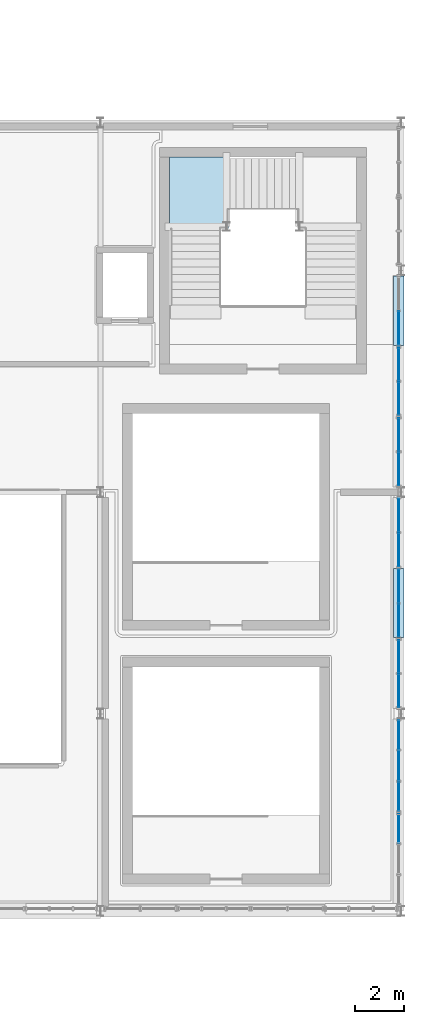
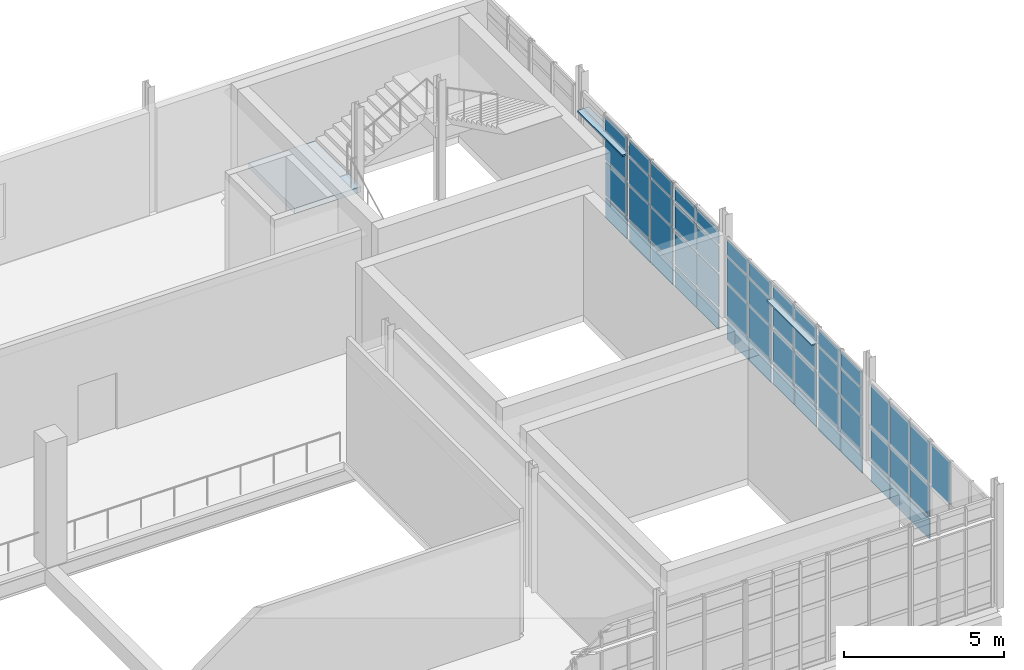
# One storey, part 79 of 102: 56 plates, 1 slab, 9 elements without a shape of their own.
"""IFC4 building model written with IfcOpenShell, lengths in metres."""

from ifc_helpers import new_model, si_unit, derived_unit, direction, frame, origin, origin_2d, place, context, subcontext, project, spatial, polyline, rectangle, outline, extrude, material, layer, layer_set, type_object, element, aggregate, save


model = new_model("IFC4")

# Units and contexts
model_context = context("Model", 3, precision=1e-05, world=origin(), true_north=direction((0.0, 1.0)))
body_context = subcontext(model_context, "Body", "Model", "MODEL_VIEW")
ifc_project = project(units=[si_unit("LENGTHUNIT", "METRE"), si_unit("AREAUNIT", "SQUARE_METRE"), si_unit("VOLUMEUNIT", "CUBIC_METRE"), si_unit("PLANEANGLEUNIT", "RADIAN"), si_unit("MASSUNIT", "GRAM", prefix="KILO"), derived_unit("THERMALTRANSMITTANCEUNIT", [(si_unit("POWERUNIT", "WATT"), 1), (si_unit("LENGTHUNIT", "METRE"), -2), (si_unit("THERMODYNAMICTEMPERATUREUNIT", "KELVIN"), -1)])], contexts=[model_context])

# Site, building, storey
site_placement = place(None, origin())
site = spatial("IfcSite", under=ifc_project, at=site_placement, CompositionType="ELEMENT")
building_placement = place(site_placement, origin())
building = spatial("IfcBuilding", under=site, at=building_placement, Name="Nallur Shell Playhouse", CompositionType="ELEMENT")
storey_placement = place(building_placement, frame((0.0, 0.0, 15.0)))
storey = spatial("IfcBuildingStorey", under=building, at=storey_placement, Name="L04", CompositionType="ELEMENT", Elevation=15.0)

# Curtain wall, plates
ifc_material_1 = material(Name="Anodised Aluminium Double-Glazed Facade System", Category="aluminium")
ifc_layer_1 = layer(ifc_material_1, 0.179931640625)
ifc_layer_set_1 = layer_set([ifc_layer_1], Name="Anodised Aluminium Double-Glazed Facade System")
curtain_wall_type_1 = type_object("IfcCurtainWallType", Name="CW-UNIT-17", PredefinedType="NOTDEFINED", material=ifc_layer_set_1)
curtain_wall_1_placement = place(storey_placement, origin())
curtain_wall_1 = element("IfcCurtainWall", 1, at=curtain_wall_1_placement, inside=storey, type_object=curtain_wall_type_1, Name="Unitised curtain wall CW-113 (L04)", PredefinedType="NOTDEFINED")
ifc_material_2 = material(Name="Solar-Control Low-E Laminated Insulating Glass", Category="glass")
ifc_layer_2 = layer(ifc_material_2, 0.02587890625)
ifc_layer_set_2 = layer_set([ifc_layer_2], Name="Solar-Control Low-E Laminated Insulating Glass")
plate_type_1 = type_object("IfcPlateType", Name="PT-GLZ-01", PredefinedType="CURTAIN_PANEL", material=ifc_layer_set_2)
plate_1_placement = place(storey_placement, frame((159.7099609375, 46.19287109375, 0.05712890625), z_axis=(0.0, 0.0, 1.0), x_axis=(0.0, -1.0, 0.0)))
plate_1 = element("IfcPlate", 2, at=plate_1_placement, type_object=plate_type_1, Name="CW-17 panel 1.1", PredefinedType="CURTAIN_PANEL", context=body_context, shape_type="SweptSolid", body=[
    extrude(rectangle(XDim=1.32177734375, YDim=0.02587890625, at=origin_2d()), origin(), (0.0, 0.0, 1.0), 0.818603515625),
])
plate_2_placement = place(storey_placement, frame((159.7099609375, 46.19287109375, 0.92431640625), z_axis=(0.0, 0.0, 1.0), x_axis=(0.0, -1.0, 0.0)))
plate_2 = element("IfcPlate", 3, at=plate_2_placement, type_object=plate_type_1, Name="CW-17 panel 1.2", PredefinedType="CURTAIN_PANEL", context=body_context, shape_type="SweptSolid", body=[
    extrude(rectangle(XDim=1.32177734375, YDim=0.02587890625, at=origin_2d()), origin(), (0.0, 0.0, 1.0), 1.299072265625),
])
plate_3_placement = place(storey_placement, frame((159.7099609375, 46.19287109375, 2.2724609375), z_axis=(0.0, 0.0, 1.0), x_axis=(0.0, -1.0, 0.0)))
plate_3 = element("IfcPlate", 4, at=plate_3_placement, type_object=plate_type_1, Name="CW-17 panel 1.3", PredefinedType="CURTAIN_PANEL", context=body_context, shape_type="SweptSolid", body=[
    extrude(rectangle(XDim=1.32177734375, YDim=0.02587890625, at=origin_2d()), origin(), (0.0, 0.0, 1.0), 1.0380859375),
])
plate_4_placement = place(storey_placement, frame((159.7099609375, 46.19287109375, 3.359375), z_axis=(0.0, 0.0, 1.0), x_axis=(0.0, -1.0, 0.0)))
plate_4 = element("IfcPlate", 5, at=plate_4_placement, type_object=plate_type_1, Name="CW-17 panel 1.4", PredefinedType="CURTAIN_PANEL", context=body_context, shape_type="SweptSolid", body=[
    extrude(rectangle(XDim=1.32177734375, YDim=0.02587890625, at=origin_2d()), origin(), (0.0, 0.0, 1.0), 0.598388671875),
])
plate_5_placement = place(storey_placement, frame((159.7099609375, 44.80712890625, 0.05712890625), z_axis=(0.0, 0.0, 1.0), x_axis=(0.0, -1.0, 0.0)))
plate_5 = element("IfcPlate", 6, at=plate_5_placement, type_object=plate_type_1, Name="CW-17 panel 2.1", PredefinedType="CURTAIN_PANEL", context=body_context, shape_type="SweptSolid", body=[
    extrude(rectangle(XDim=1.32177734375, YDim=0.02587890625, at=origin_2d()), origin(), (0.0, 0.0, 1.0), 0.818603515625),
])
plate_6_placement = place(storey_placement, frame((159.7099609375, 44.80712890625, 0.92431640625), z_axis=(0.0, 0.0, 1.0), x_axis=(0.0, -1.0, 0.0)))
plate_6 = element("IfcPlate", 7, at=plate_6_placement, type_object=plate_type_1, Name="CW-17 panel 2.2", PredefinedType="CURTAIN_PANEL", context=body_context, shape_type="SweptSolid", body=[
    extrude(rectangle(XDim=1.32177734375, YDim=0.02587890625, at=origin_2d()), origin(), (0.0, 0.0, 1.0), 1.299072265625),
])
plate_7_placement = place(storey_placement, frame((159.7099609375, 44.80712890625, 2.2724609375), z_axis=(0.0, 0.0, 1.0), x_axis=(0.0, -1.0, 0.0)))
plate_7 = element("IfcPlate", 8, at=plate_7_placement, type_object=plate_type_1, Name="CW-17 panel 2.3", PredefinedType="CURTAIN_PANEL", context=body_context, shape_type="SweptSolid", body=[
    extrude(rectangle(XDim=1.32177734375, YDim=0.02587890625, at=origin_2d()), origin(), (0.0, 0.0, 1.0), 1.0380859375),
])
plate_8_placement = place(storey_placement, frame((159.7099609375, 44.80712890625, 3.359375), z_axis=(0.0, 0.0, 1.0), x_axis=(0.0, -1.0, 0.0)))
plate_8 = element("IfcPlate", 9, at=plate_8_placement, type_object=plate_type_1, Name="CW-17 panel 2.4", PredefinedType="CURTAIN_PANEL", context=body_context, shape_type="SweptSolid", body=[
    extrude(rectangle(XDim=1.32177734375, YDim=0.02587890625, at=origin_2d()), origin(), (0.0, 0.0, 1.0), 0.598388671875),
])
aggregate(curtain_wall_1, [plate_1, plate_2, plate_3, plate_4, plate_5, plate_6, plate_7, plate_8])

ifc_layer_3 = layer(ifc_material_1, 0.159912109375)
ifc_layer_set_3 = layer_set([ifc_layer_3], Name="Anodised Aluminium Double-Glazed Facade System")
curtain_wall_type_2 = type_object("IfcCurtainWallType", Name="CW-UNIT-18", PredefinedType="NOTDEFINED", material=ifc_layer_set_3)
curtain_wall_2_placement = place(storey_placement, origin())
curtain_wall_2 = element("IfcCurtainWall", 10, at=curtain_wall_2_placement, inside=storey, type_object=curtain_wall_type_2, Name="Unitised curtain wall CW-114 (L04)", PredefinedType="NOTDEFINED")
ifc_layer_4 = layer(ifc_material_2, 0.028076171875)
ifc_layer_set_4 = layer_set([ifc_layer_4], Name="Solar-Control Low-E Laminated Insulating Glass")
plate_type_2 = type_object("IfcPlateType", Name="PT-GLZ-02", PredefinedType="CURTAIN_PANEL", material=ifc_layer_set_4)
plate_9_placement = place(storey_placement, frame((159.7099609375, 43.33154296875, 0.092041015625), z_axis=(0.0, 0.0, 1.0), x_axis=(0.0, -1.0, 0.0)))
plate_9 = element("IfcPlate", 11, at=plate_9_placement, type_object=plate_type_2, Name="CW-18 panel 1.1", PredefinedType="CURTAIN_PANEL", context=body_context, shape_type="SweptSolid", body=[
    extrude(rectangle(XDim=1.33154296875, YDim=0.028076171875, at=origin_2d()), origin(), (0.0, 0.0, 1.0), 0.76611328125),
])
plate_10_placement = place(storey_placement, frame((159.7099609375, 43.33154296875, 0.942138671875), z_axis=(0.0, 0.0, 1.0), x_axis=(0.0, -1.0, 0.0)))
plate_10 = element("IfcPlate", 12, at=plate_10_placement, type_object=plate_type_2, Name="CW-18 panel 1.2", PredefinedType="CURTAIN_PANEL", context=body_context, shape_type="SweptSolid", body=[
    extrude(rectangle(XDim=1.33154296875, YDim=0.028076171875, at=origin_2d()), origin(), (0.0, 0.0, 1.0), 1.2529296875),
])
plate_11_placement = place(storey_placement, frame((159.7099609375, 43.33154296875, 2.27880859375), z_axis=(0.0, 0.0, 1.0), x_axis=(0.0, -1.0, 0.0)))
plate_11 = element("IfcPlate", 13, at=plate_11_placement, type_object=plate_type_2, Name="CW-18 panel 1.3", PredefinedType="CURTAIN_PANEL", context=body_context, shape_type="SweptSolid", body=[
    extrude(rectangle(XDim=1.33154296875, YDim=0.028076171875, at=origin_2d()), origin(), (0.0, 0.0, 1.0), 0.993896484375),
])
plate_12_placement = place(storey_placement, frame((159.7099609375, 43.33154296875, 3.35693359375), z_axis=(0.0, 0.0, 1.0), x_axis=(0.0, -1.0, 0.0)))
plate_12 = element("IfcPlate", 14, at=plate_12_placement, type_object=plate_type_2, Name="CW-18 panel 1.4", PredefinedType="CURTAIN_PANEL", context=body_context, shape_type="SweptSolid", body=[
    extrude(rectangle(XDim=1.33154296875, YDim=0.028076171875, at=origin_2d()), origin(), (0.0, 0.0, 1.0), 0.5458984375),
])
plate_13_placement = place(storey_placement, frame((159.7099609375, 41.94091796875, 0.092041015625), z_axis=(0.0, 0.0, 1.0), x_axis=(0.0, -1.0, 0.0)))
plate_13 = element("IfcPlate", 15, at=plate_13_placement, type_object=plate_type_2, Name="CW-18 panel 2.1", PredefinedType="CURTAIN_PANEL", context=body_context, shape_type="SweptSolid", body=[
    extrude(rectangle(XDim=1.33154296875, YDim=0.028076171875, at=origin_2d()), origin(), (0.0, 0.0, 1.0), 0.76611328125),
])
plate_14_placement = place(storey_placement, frame((159.7099609375, 41.94091796875, 0.942138671875), z_axis=(0.0, 0.0, 1.0), x_axis=(0.0, -1.0, 0.0)))
plate_14 = element("IfcPlate", 16, at=plate_14_placement, type_object=plate_type_2, Name="CW-18 panel 2.2", PredefinedType="CURTAIN_PANEL", context=body_context, shape_type="SweptSolid", body=[
    extrude(rectangle(XDim=1.33154296875, YDim=0.028076171875, at=origin_2d()), origin(), (0.0, 0.0, 1.0), 1.2529296875),
])
plate_15_placement = place(storey_placement, frame((159.7099609375, 41.94091796875, 2.27880859375), z_axis=(0.0, 0.0, 1.0), x_axis=(0.0, -1.0, 0.0)))
plate_15 = element("IfcPlate", 17, at=plate_15_placement, type_object=plate_type_2, Name="CW-18 panel 2.3", PredefinedType="CURTAIN_PANEL", context=body_context, shape_type="SweptSolid", body=[
    extrude(rectangle(XDim=1.33154296875, YDim=0.028076171875, at=origin_2d()), origin(), (0.0, 0.0, 1.0), 0.993896484375),
])
plate_16_placement = place(storey_placement, frame((159.7099609375, 41.94091796875, 3.35693359375), z_axis=(0.0, 0.0, 1.0), x_axis=(0.0, -1.0, 0.0)))
plate_16 = element("IfcPlate", 18, at=plate_16_placement, type_object=plate_type_2, Name="CW-18 panel 2.4", PredefinedType="CURTAIN_PANEL", context=body_context, shape_type="SweptSolid", body=[
    extrude(rectangle(XDim=1.33154296875, YDim=0.028076171875, at=origin_2d()), origin(), (0.0, 0.0, 1.0), 0.5458984375),
])
aggregate(curtain_wall_2, [plate_9, plate_10, plate_11, plate_12, plate_13, plate_14, plate_15, plate_16])

ifc_layer_5 = layer(ifc_material_1, 0.1640625)
ifc_layer_set_5 = layer_set([ifc_layer_5], Name="Anodised Aluminium Double-Glazed Facade System")
curtain_wall_type_3 = type_object("IfcCurtainWallType", Name="CW-UNIT-19", PredefinedType="NOTDEFINED", material=ifc_layer_set_5)
curtain_wall_3_placement = place(storey_placement, origin())
curtain_wall_3 = element("IfcCurtainWall", 19, at=curtain_wall_3_placement, inside=storey, type_object=curtain_wall_type_3, Name="Unitised curtain wall CW-115 (L04)", PredefinedType="NOTDEFINED")
ifc_layer_6 = layer(ifc_material_2, 0.030029296875)
ifc_layer_set_6 = layer_set([ifc_layer_6], Name="Solar-Control Low-E Laminated Insulating Glass")
plate_type_3 = type_object("IfcPlateType", Name="PT-GLZ-03", PredefinedType="CURTAIN_PANEL", material=ifc_layer_set_6)
plate_17_placement = place(storey_placement, frame((159.7099609375, 40.061767578125, 0.05712890625), z_axis=(0.0, 0.0, 1.0), x_axis=(0.0, -1.0, 0.0)))
plate_17 = element("IfcPlate", 20, at=plate_17_placement, type_object=plate_type_3, Name="CW-19 panel 1.1", PredefinedType="CURTAIN_PANEL", context=body_context, shape_type="SweptSolid", body=[
    extrude(rectangle(XDim=1.3466796875, YDim=0.030029296875, at=origin_2d()), origin(), (0.0, 0.0, 1.0), 0.818603515625),
])
plate_18_placement = place(storey_placement, frame((159.7099609375, 40.061767578125, 0.924560546875), z_axis=(0.0, 0.0, 1.0), x_axis=(0.0, -1.0, 0.0)))
plate_18 = element("IfcPlate", 21, at=plate_18_placement, type_object=plate_type_3, Name="CW-19 panel 1.2", PredefinedType="CURTAIN_PANEL", context=body_context, shape_type="SweptSolid", body=[
    extrude(rectangle(XDim=1.3466796875, YDim=0.030029296875, at=origin_2d()), origin(), (0.0, 0.0, 1.0), 1.2490234375),
])
plate_19_placement = place(storey_placement, frame((159.7099609375, 40.061767578125, 2.222412109375), z_axis=(0.0, 0.0, 1.0), x_axis=(0.0, -1.0, 0.0)))
plate_19 = element("IfcPlate", 22, at=plate_19_placement, type_object=plate_type_3, Name="CW-19 panel 1.3", PredefinedType="CURTAIN_PANEL", context=body_context, shape_type="SweptSolid", body=[
    extrude(rectangle(XDim=1.3466796875, YDim=0.030029296875, at=origin_2d()), origin(), (0.0, 0.0, 1.0), 0.998046875),
])
plate_20_placement = place(storey_placement, frame((159.7099609375, 40.061767578125, 3.26953125), z_axis=(0.0, 0.0, 1.0), x_axis=(0.0, -1.0, 0.0)))
plate_20 = element("IfcPlate", 23, at=plate_20_placement, type_object=plate_type_3, Name="CW-19 panel 1.4", PredefinedType="CURTAIN_PANEL", context=body_context, shape_type="SweptSolid", body=[
    extrude(rectangle(XDim=1.3466796875, YDim=0.030029296875, at=origin_2d()), origin(), (0.0, 0.0, 1.0), 0.598388671875),
])
plate_21_placement = place(storey_placement, frame((159.7099609375, 38.666015625, 0.05712890625), z_axis=(0.0, 0.0, 1.0), x_axis=(0.0, -1.0, 0.0)))
plate_21 = element("IfcPlate", 24, at=plate_21_placement, type_object=plate_type_3, Name="CW-19 panel 2.1", PredefinedType="CURTAIN_PANEL", context=body_context, shape_type="SweptSolid", body=[
    extrude(rectangle(XDim=1.3466796875, YDim=0.030029296875, at=origin_2d()), origin(), (0.0, 0.0, 1.0), 0.818603515625),
])
plate_22_placement = place(storey_placement, frame((159.7099609375, 38.666015625, 0.924560546875), z_axis=(0.0, 0.0, 1.0), x_axis=(0.0, -1.0, 0.0)))
plate_22 = element("IfcPlate", 25, at=plate_22_placement, type_object=plate_type_3, Name="CW-19 panel 2.2", PredefinedType="CURTAIN_PANEL", context=body_context, shape_type="SweptSolid", body=[
    extrude(rectangle(XDim=1.3466796875, YDim=0.030029296875, at=origin_2d()), origin(), (0.0, 0.0, 1.0), 1.2490234375),
])
plate_23_placement = place(storey_placement, frame((159.7099609375, 38.666015625, 2.222412109375), z_axis=(0.0, 0.0, 1.0), x_axis=(0.0, -1.0, 0.0)))
plate_23 = element("IfcPlate", 26, at=plate_23_placement, type_object=plate_type_3, Name="CW-19 panel 2.3", PredefinedType="CURTAIN_PANEL", context=body_context, shape_type="SweptSolid", body=[
    extrude(rectangle(XDim=1.3466796875, YDim=0.030029296875, at=origin_2d()), origin(), (0.0, 0.0, 1.0), 0.998046875),
])
plate_24_placement = place(storey_placement, frame((159.7099609375, 38.666015625, 3.26953125), z_axis=(0.0, 0.0, 1.0), x_axis=(0.0, -1.0, 0.0)))
plate_24 = element("IfcPlate", 27, at=plate_24_placement, type_object=plate_type_3, Name="CW-19 panel 2.4", PredefinedType="CURTAIN_PANEL", context=body_context, shape_type="SweptSolid", body=[
    extrude(rectangle(XDim=1.3466796875, YDim=0.030029296875, at=origin_2d()), origin(), (0.0, 0.0, 1.0), 0.598388671875),
])
aggregate(curtain_wall_3, [plate_17, plate_18, plate_19, plate_20, plate_21, plate_22, plate_23, plate_24])

ifc_layer_7 = layer(ifc_material_1, 0.16796875)
ifc_layer_set_7 = layer_set([ifc_layer_7], Name="Anodised Aluminium Double-Glazed Facade System")
curtain_wall_type_4 = type_object("IfcCurtainWallType", Name="CW-UNIT-20", PredefinedType="NOTDEFINED", material=ifc_layer_set_7)
curtain_wall_4_placement = place(storey_placement, origin())
curtain_wall_4 = element("IfcCurtainWall", 28, at=curtain_wall_4_placement, inside=storey, type_object=curtain_wall_type_4, Name="Unitised curtain wall CW-116 (L04)", PredefinedType="NOTDEFINED")
ifc_layer_8 = layer(ifc_material_2, 0.031982421875)
ifc_layer_set_8 = layer_set([ifc_layer_8], Name="Solar-Control Low-E Laminated Insulating Glass")
plate_type_4 = type_object("IfcPlateType", Name="PT-GLZ-04", PredefinedType="CURTAIN_PANEL", material=ifc_layer_set_8)
plate_25_placement = place(storey_placement, frame((159.7099609375, 37.19287109375, 0.092041015625), z_axis=(0.0, 0.0, 1.0), x_axis=(0.0, -1.0, 0.0)))
plate_25 = element("IfcPlate", 29, at=plate_25_placement, type_object=plate_type_4, Name="CW-20 panel 1.1", PredefinedType="CURTAIN_PANEL", context=body_context, shape_type="SweptSolid", body=[
    extrude(rectangle(XDim=1.32177734375, YDim=0.031982421875, at=origin_2d()), origin(), (0.0, 0.0, 1.0), 0.76611328125),
])
plate_26_placement = place(storey_placement, frame((159.7099609375, 37.19287109375, 0.94189453125), z_axis=(0.0, 0.0, 1.0), x_axis=(0.0, -1.0, 0.0)))
plate_26 = element("IfcPlate", 30, at=plate_26_placement, type_object=plate_type_4, Name="CW-20 panel 1.2", PredefinedType="CURTAIN_PANEL", context=body_context, shape_type="SweptSolid", body=[
    extrude(rectangle(XDim=1.32177734375, YDim=0.031982421875, at=origin_2d()), origin(), (0.0, 0.0, 1.0), 1.248046875),
])
plate_27_placement = place(storey_placement, frame((159.7099609375, 37.19287109375, 2.27392578125), z_axis=(0.0, 0.0, 1.0), x_axis=(0.0, -1.0, 0.0)))
plate_27 = element("IfcPlate", 31, at=plate_27_placement, type_object=plate_type_4, Name="CW-20 panel 1.3", PredefinedType="CURTAIN_PANEL", context=body_context, shape_type="SweptSolid", body=[
    extrude(rectangle(XDim=1.32177734375, YDim=0.031982421875, at=origin_2d()), origin(), (0.0, 0.0, 1.0), 0.989013671875),
])
plate_28_placement = place(storey_placement, frame((159.7099609375, 37.19287109375, 3.34716796875), z_axis=(0.0, 0.0, 1.0), x_axis=(0.0, -1.0, 0.0)))
plate_28 = element("IfcPlate", 32, at=plate_28_placement, type_object=plate_type_4, Name="CW-20 panel 1.4", PredefinedType="CURTAIN_PANEL", context=body_context, shape_type="SweptSolid", body=[
    extrude(rectangle(XDim=1.32177734375, YDim=0.031982421875, at=origin_2d()), origin(), (0.0, 0.0, 1.0), 0.5458984375),
])
plate_29_placement = place(storey_placement, frame((159.7099609375, 35.80712890625, 0.092041015625), z_axis=(0.0, 0.0, 1.0), x_axis=(0.0, -1.0, 0.0)))
plate_29 = element("IfcPlate", 33, at=plate_29_placement, type_object=plate_type_4, Name="CW-20 panel 2.1", PredefinedType="CURTAIN_PANEL", context=body_context, shape_type="SweptSolid", body=[
    extrude(rectangle(XDim=1.32177734375, YDim=0.031982421875, at=origin_2d()), origin(), (0.0, 0.0, 1.0), 0.76611328125),
])
plate_30_placement = place(storey_placement, frame((159.7099609375, 35.80712890625, 0.94189453125), z_axis=(0.0, 0.0, 1.0), x_axis=(0.0, -1.0, 0.0)))
plate_30 = element("IfcPlate", 34, at=plate_30_placement, type_object=plate_type_4, Name="CW-20 panel 2.2", PredefinedType="CURTAIN_PANEL", context=body_context, shape_type="SweptSolid", body=[
    extrude(rectangle(XDim=1.32177734375, YDim=0.031982421875, at=origin_2d()), origin(), (0.0, 0.0, 1.0), 1.248046875),
])
plate_31_placement = place(storey_placement, frame((159.7099609375, 35.80712890625, 2.27392578125), z_axis=(0.0, 0.0, 1.0), x_axis=(0.0, -1.0, 0.0)))
plate_31 = element("IfcPlate", 35, at=plate_31_placement, type_object=plate_type_4, Name="CW-20 panel 2.3", PredefinedType="CURTAIN_PANEL", context=body_context, shape_type="SweptSolid", body=[
    extrude(rectangle(XDim=1.32177734375, YDim=0.031982421875, at=origin_2d()), origin(), (0.0, 0.0, 1.0), 0.989013671875),
])
plate_32_placement = place(storey_placement, frame((159.7099609375, 35.80712890625, 3.34716796875), z_axis=(0.0, 0.0, 1.0), x_axis=(0.0, -1.0, 0.0)))
plate_32 = element("IfcPlate", 36, at=plate_32_placement, type_object=plate_type_4, Name="CW-20 panel 2.4", PredefinedType="CURTAIN_PANEL", context=body_context, shape_type="SweptSolid", body=[
    extrude(rectangle(XDim=1.32177734375, YDim=0.031982421875, at=origin_2d()), origin(), (0.0, 0.0, 1.0), 0.5458984375),
])
aggregate(curtain_wall_4, [plate_25, plate_26, plate_27, plate_28, plate_29, plate_30, plate_31, plate_32])

ifc_layer_9 = layer(ifc_material_1, 0.172119140625)
ifc_layer_set_9 = layer_set([ifc_layer_9], Name="Anodised Aluminium Double-Glazed Facade System")
curtain_wall_type_5 = type_object("IfcCurtainWallType", Name="CW-UNIT-21", PredefinedType="NOTDEFINED", material=ifc_layer_set_9)
curtain_wall_5_placement = place(storey_placement, origin())
curtain_wall_5 = element("IfcCurtainWall", 37, at=curtain_wall_5_placement, inside=storey, type_object=curtain_wall_type_5, Name="Unitised curtain wall CW-117 (L04)", PredefinedType="NOTDEFINED")
ifc_layer_10 = layer(ifc_material_2, 0.033935546875)
ifc_layer_set_10 = layer_set([ifc_layer_10], Name="Solar-Control Low-E Laminated Insulating Glass")
plate_type_5 = type_object("IfcPlateType", Name="PT-GLZ-05", PredefinedType="CURTAIN_PANEL", material=ifc_layer_set_10)
plate_33_placement = place(storey_placement, frame((159.7099609375, 34.33154296875, 0.05712890625), z_axis=(0.0, 0.0, 1.0), x_axis=(0.0, -1.0, 0.0)))
plate_33 = element("IfcPlate", 38, at=plate_33_placement, type_object=plate_type_5, Name="CW-21 panel 1.1", PredefinedType="CURTAIN_PANEL", context=body_context, shape_type="SweptSolid", body=[
    extrude(rectangle(XDim=1.33154296875, YDim=0.033935546875, at=origin_2d()), origin(), (0.0, 0.0, 1.0), 0.818603515625),
])
plate_34_placement = place(storey_placement, frame((159.7099609375, 34.33154296875, 0.924560546875), z_axis=(0.0, 0.0, 1.0), x_axis=(0.0, -1.0, 0.0)))
plate_34 = element("IfcPlate", 39, at=plate_34_placement, type_object=plate_type_5, Name="CW-21 panel 1.2", PredefinedType="CURTAIN_PANEL", context=body_context, shape_type="SweptSolid", body=[
    extrude(rectangle(XDim=1.33154296875, YDim=0.033935546875, at=origin_2d()), origin(), (0.0, 0.0, 1.0), 1.27099609375),
])
plate_35_placement = place(storey_placement, frame((159.7099609375, 34.33154296875, 2.244384765625), z_axis=(0.0, 0.0, 1.0), x_axis=(0.0, -1.0, 0.0)))
plate_35 = element("IfcPlate", 40, at=plate_35_placement, type_object=plate_type_5, Name="CW-21 panel 1.3", PredefinedType="CURTAIN_PANEL", context=body_context, shape_type="SweptSolid", body=[
    extrude(rectangle(XDim=1.33154296875, YDim=0.033935546875, at=origin_2d()), origin(), (0.0, 0.0, 1.0), 1.01611328125),
])
plate_36_placement = place(storey_placement, frame((159.7099609375, 34.33154296875, 3.3095703125), z_axis=(0.0, 0.0, 1.0), x_axis=(0.0, -1.0, 0.0)))
plate_36 = element("IfcPlate", 41, at=plate_36_placement, type_object=plate_type_5, Name="CW-21 panel 1.4", PredefinedType="CURTAIN_PANEL", context=body_context, shape_type="SweptSolid", body=[
    extrude(rectangle(XDim=1.33154296875, YDim=0.033935546875, at=origin_2d()), origin(), (0.0, 0.0, 1.0), 0.598388671875),
])
plate_37_placement = place(storey_placement, frame((159.7099609375, 32.94091796875, 0.05712890625), z_axis=(0.0, 0.0, 1.0), x_axis=(0.0, -1.0, 0.0)))
plate_37 = element("IfcPlate", 42, at=plate_37_placement, type_object=plate_type_5, Name="CW-21 panel 2.1", PredefinedType="CURTAIN_PANEL", context=body_context, shape_type="SweptSolid", body=[
    extrude(rectangle(XDim=1.33154296875, YDim=0.033935546875, at=origin_2d()), origin(), (0.0, 0.0, 1.0), 0.818603515625),
])
plate_38_placement = place(storey_placement, frame((159.7099609375, 32.94091796875, 0.924560546875), z_axis=(0.0, 0.0, 1.0), x_axis=(0.0, -1.0, 0.0)))
plate_38 = element("IfcPlate", 43, at=plate_38_placement, type_object=plate_type_5, Name="CW-21 panel 2.2", PredefinedType="CURTAIN_PANEL", context=body_context, shape_type="SweptSolid", body=[
    extrude(rectangle(XDim=1.33154296875, YDim=0.033935546875, at=origin_2d()), origin(), (0.0, 0.0, 1.0), 1.27099609375),
])
plate_39_placement = place(storey_placement, frame((159.7099609375, 32.94091796875, 2.244384765625), z_axis=(0.0, 0.0, 1.0), x_axis=(0.0, -1.0, 0.0)))
plate_39 = element("IfcPlate", 44, at=plate_39_placement, type_object=plate_type_5, Name="CW-21 panel 2.3", PredefinedType="CURTAIN_PANEL", context=body_context, shape_type="SweptSolid", body=[
    extrude(rectangle(XDim=1.33154296875, YDim=0.033935546875, at=origin_2d()), origin(), (0.0, 0.0, 1.0), 1.01611328125),
])
plate_40_placement = place(storey_placement, frame((159.7099609375, 32.94091796875, 3.3095703125), z_axis=(0.0, 0.0, 1.0), x_axis=(0.0, -1.0, 0.0)))
plate_40 = element("IfcPlate", 45, at=plate_40_placement, type_object=plate_type_5, Name="CW-21 panel 2.4", PredefinedType="CURTAIN_PANEL", context=body_context, shape_type="SweptSolid", body=[
    extrude(rectangle(XDim=1.33154296875, YDim=0.033935546875, at=origin_2d()), origin(), (0.0, 0.0, 1.0), 0.598388671875),
])
aggregate(curtain_wall_5, [plate_33, plate_34, plate_35, plate_36, plate_37, plate_38, plate_39, plate_40])

ifc_layer_11 = layer(ifc_material_1, 0.176025390625)
ifc_layer_set_11 = layer_set([ifc_layer_11], Name="Anodised Aluminium Double-Glazed Facade System")
curtain_wall_type_6 = type_object("IfcCurtainWallType", Name="CW-UNIT-22", PredefinedType="NOTDEFINED", material=ifc_layer_set_11)
curtain_wall_6_placement = place(storey_placement, origin())
curtain_wall_6 = element("IfcCurtainWall", 46, at=curtain_wall_6_placement, inside=storey, type_object=curtain_wall_type_6, Name="Unitised curtain wall CW-118 (L04)", PredefinedType="NOTDEFINED")
ifc_layer_12 = layer(ifc_material_2, 0.035888671875)
ifc_layer_set_12 = layer_set([ifc_layer_12], Name="Solar-Control Low-E Laminated Insulating Glass")
plate_type_6 = type_object("IfcPlateType", Name="PT-GLZ-06", PredefinedType="CURTAIN_PANEL", material=ifc_layer_set_12)
plate_41_placement = place(storey_placement, frame((159.7099609375, 31.14453125, 0.092041015625), z_axis=(0.0, 0.0, 1.0), x_axis=(0.0, -1.0, 0.0)))
plate_41 = element("IfcPlate", 47, at=plate_41_placement, type_object=plate_type_6, Name="CW-22 panel 1.1", PredefinedType="CURTAIN_PANEL", context=body_context, shape_type="SweptSolid", body=[
    extrude(rectangle(XDim=1.180908203125, YDim=0.035888671875, at=origin_2d()), origin(), (0.0, 0.0, 1.0), 0.76611328125),
])
plate_42_placement = place(storey_placement, frame((159.7099609375, 31.14453125, 0.94189453125), z_axis=(0.0, 0.0, 1.0), x_axis=(0.0, -1.0, 0.0)))
plate_42 = element("IfcPlate", 48, at=plate_42_placement, type_object=plate_type_6, Name="CW-22 panel 1.2", PredefinedType="CURTAIN_PANEL", context=body_context, shape_type="SweptSolid", body=[
    extrude(rectangle(XDim=1.180908203125, YDim=0.035888671875, at=origin_2d()), origin(), (0.0, 0.0, 1.0), 1.197021484375),
])
plate_43_placement = place(storey_placement, frame((159.7099609375, 31.14453125, 2.222900390625), z_axis=(0.0, 0.0, 1.0), x_axis=(0.0, -1.0, 0.0)))
plate_43 = element("IfcPlate", 49, at=plate_43_placement, type_object=plate_type_6, Name="CW-22 panel 1.3", PredefinedType="CURTAIN_PANEL", context=body_context, shape_type="SweptSolid", body=[
    extrude(rectangle(XDim=1.180908203125, YDim=0.035888671875, at=origin_2d()), origin(), (0.0, 0.0, 1.0), 1.580078125),
])
plate_44_placement = place(storey_placement, frame((159.7099609375, 29.8984375, 0.092041015625), z_axis=(0.0, 0.0, 1.0), x_axis=(0.0, -1.0, 0.0)))
plate_44 = element("IfcPlate", 50, at=plate_44_placement, type_object=plate_type_6, Name="CW-22 panel 2.1", PredefinedType="CURTAIN_PANEL", context=body_context, shape_type="SweptSolid", body=[
    extrude(rectangle(XDim=1.21337890625, YDim=0.035888671875, at=origin_2d()), origin(), (0.0, 0.0, 1.0), 0.76611328125),
])
plate_45_placement = place(storey_placement, frame((159.7099609375, 29.8984375, 0.94189453125), z_axis=(0.0, 0.0, 1.0), x_axis=(0.0, -1.0, 0.0)))
plate_45 = element("IfcPlate", 51, at=plate_45_placement, type_object=plate_type_6, Name="CW-22 panel 2.2", PredefinedType="CURTAIN_PANEL", context=body_context, shape_type="SweptSolid", body=[
    extrude(rectangle(XDim=1.21337890625, YDim=0.035888671875, at=origin_2d()), origin(), (0.0, 0.0, 1.0), 1.197021484375),
])
plate_46_placement = place(storey_placement, frame((159.7099609375, 29.8984375, 2.222900390625), z_axis=(0.0, 0.0, 1.0), x_axis=(0.0, -1.0, 0.0)))
plate_46 = element("IfcPlate", 52, at=plate_46_placement, type_object=plate_type_6, Name="CW-22 panel 2.3", PredefinedType="CURTAIN_PANEL", context=body_context, shape_type="SweptSolid", body=[
    extrude(rectangle(XDim=1.21337890625, YDim=0.035888671875, at=origin_2d()), origin(), (0.0, 0.0, 1.0), 1.580078125),
])
plate_47_placement = place(storey_placement, frame((159.7099609375, 28.65234375, 0.092041015625), z_axis=(0.0, 0.0, 1.0), x_axis=(0.0, -1.0, 0.0)))
plate_47 = element("IfcPlate", 53, at=plate_47_placement, type_object=plate_type_6, Name="CW-22 panel 3.1", PredefinedType="CURTAIN_PANEL", context=body_context, shape_type="SweptSolid", body=[
    extrude(rectangle(XDim=1.180908203125, YDim=0.035888671875, at=origin_2d()), origin(), (0.0, 0.0, 1.0), 0.76611328125),
])
plate_48_placement = place(storey_placement, frame((159.7099609375, 28.65234375, 0.94189453125), z_axis=(0.0, 0.0, 1.0), x_axis=(0.0, -1.0, 0.0)))
plate_48 = element("IfcPlate", 54, at=plate_48_placement, type_object=plate_type_6, Name="CW-22 panel 3.2", PredefinedType="CURTAIN_PANEL", context=body_context, shape_type="SweptSolid", body=[
    extrude(rectangle(XDim=1.180908203125, YDim=0.035888671875, at=origin_2d()), origin(), (0.0, 0.0, 1.0), 1.197021484375),
])
plate_49_placement = place(storey_placement, frame((159.7099609375, 28.65234375, 2.222900390625), z_axis=(0.0, 0.0, 1.0), x_axis=(0.0, -1.0, 0.0)))
plate_49 = element("IfcPlate", 55, at=plate_49_placement, type_object=plate_type_6, Name="CW-22 panel 3.3", PredefinedType="CURTAIN_PANEL", context=body_context, shape_type="SweptSolid", body=[
    extrude(rectangle(XDim=1.180908203125, YDim=0.035888671875, at=origin_2d()), origin(), (0.0, 0.0, 1.0), 1.580078125),
])
aggregate(curtain_wall_6, [plate_41, plate_42, plate_43, plate_44, plate_45, plate_46, plate_47, plate_48, plate_49])

# Curtain wall, plate
ifc_layer_13 = layer(ifc_material_1, 0.179931640625)
ifc_layer_set_13 = layer_set([ifc_layer_13], Name="Anodised Aluminium Double-Glazed Facade System")
curtain_wall_type_7 = type_object("IfcCurtainWallType", Name="CW-UNIT-23", PredefinedType="NOTDEFINED", material=ifc_layer_set_13)
curtain_wall_7_placement = place(storey_placement, origin())
curtain_wall_7 = element("IfcCurtainWall", 56, at=curtain_wall_7_placement, inside=storey, type_object=curtain_wall_type_7, Name="Unitised curtain wall CW-119 (L04)", PredefinedType="NOTDEFINED")
ifc_layer_14 = layer(ifc_material_2, 0.0380859375)
ifc_layer_set_14 = layer_set([ifc_layer_14], Name="Solar-Control Low-E Laminated Insulating Glass")
plate_type_7 = type_object("IfcPlateType", Name="PT-GLZ-07", PredefinedType="CURTAIN_PANEL", material=ifc_layer_set_14)
plate_50_placement = place(storey_placement, frame((159.7099609375, 27.34375, 2.194580078125), z_axis=(0.0, 0.0, 1.0), x_axis=(0.0, -1.0, 0.0)))
plate_50 = element("IfcPlate", 57, at=plate_50_placement, type_object=plate_type_7, Name="CW-23 panel 1.3", PredefinedType="CURTAIN_PANEL", context=body_context, shape_type="SweptSolid", body=[
    extrude(rectangle(XDim=1.158447265625, YDim=0.0380859375, at=origin_2d()), origin(), (0.0, 0.0, 1.0), 1.62353515625),
])
aggregate(curtain_wall_7, [plate_50])

# Curtain wall, plates
ifc_layer_15 = layer(ifc_material_1, 0.176025390625)
ifc_layer_set_15 = layer_set([ifc_layer_15], Name="Anodised Aluminium Double-Glazed Facade System")
curtain_wall_type_8 = type_object("IfcCurtainWallType", Name="CW-UNIT-16", PredefinedType="NOTDEFINED", material=ifc_layer_set_15)
curtain_wall_8_placement = place(storey_placement, origin())
curtain_wall_8 = element("IfcCurtainWall", 58, at=curtain_wall_8_placement, inside=storey, type_object=curtain_wall_type_8, Name="Unitised curtain wall CW-112 (L04)", PredefinedType="NOTDEFINED")
ifc_layer_16 = layer(ifc_material_2, 0.0400390625)
ifc_layer_set_16 = layer_set([ifc_layer_16], Name="Solar-Control Low-E Laminated Insulating Glass")
plate_type_8 = type_object("IfcPlateType", Name="PT-GLZ-08", PredefinedType="CURTAIN_PANEL", material=ifc_layer_set_16)
plate_51_placement = place(storey_placement, frame((159.7099609375, 47.666015625, 0.092041015625), z_axis=(0.0, 0.0, 1.0), x_axis=(0.0, -1.0, 0.0)))
plate_51 = element("IfcPlate", 59, at=plate_51_placement, type_object=plate_type_8, Name="CW-16 panel 2.1", PredefinedType="CURTAIN_PANEL", context=body_context, shape_type="SweptSolid", body=[
    extrude(rectangle(XDim=1.3466796875, YDim=0.0400390625, at=origin_2d()), origin(), (0.0, 0.0, 1.0), 0.76611328125),
])
plate_52_placement = place(storey_placement, frame((159.7099609375, 47.666015625, 0.942138671875), z_axis=(0.0, 0.0, 1.0), x_axis=(0.0, -1.0, 0.0)))
plate_52 = element("IfcPlate", 60, at=plate_52_placement, type_object=plate_type_8, Name="CW-16 panel 2.2", PredefinedType="CURTAIN_PANEL", context=body_context, shape_type="SweptSolid", body=[
    extrude(rectangle(XDim=1.3466796875, YDim=0.0400390625, at=origin_2d()), origin(), (0.0, 0.0, 1.0), 1.27587890625),
])
plate_53_placement = place(storey_placement, frame((159.7099609375, 47.666015625, 2.30224609375), z_axis=(0.0, 0.0, 1.0), x_axis=(0.0, -1.0, 0.0)))
plate_53 = element("IfcPlate", 61, at=plate_53_placement, type_object=plate_type_8, Name="CW-16 panel 2.3", PredefinedType="CURTAIN_PANEL", context=body_context, shape_type="SweptSolid", body=[
    extrude(rectangle(XDim=1.3466796875, YDim=0.0400390625, at=origin_2d()), origin(), (0.0, 0.0, 1.0), 1.010986328125),
])
plate_54_placement = place(storey_placement, frame((159.7099609375, 47.666015625, 3.39697265625), z_axis=(0.0, 0.0, 1.0), x_axis=(0.0, -1.0, 0.0)))
plate_54 = element("IfcPlate", 62, at=plate_54_placement, type_object=plate_type_8, Name="CW-16 panel 2.4", PredefinedType="CURTAIN_PANEL", context=body_context, shape_type="SweptSolid", body=[
    extrude(rectangle(XDim=1.3466796875, YDim=0.0400390625, at=origin_2d()), origin(), (0.0, 0.0, 1.0), 0.5458984375),
])
aggregate(curtain_wall_8, [plate_51, plate_52, plate_53, plate_54])

# Plates
ifc_material_3 = material(Name="Terracotta & Gold-Anodised Monsoon Sunshade Blade", Category="masonry")
ifc_layer_17 = layer(ifc_material_3, 0.044921875)
ifc_layer_set_17 = layer_set([ifc_layer_17], Name="Terracotta & Gold-Anodised Monsoon Sunshade Blade")
plate_type_9 = type_object("IfcPlateType", Name="PT-LOUVRE-01", PredefinedType="USERDEFINED", material=ifc_layer_set_17)
plate_55_placement = place(storey_placement, frame((159.7099609375, 36.5, 3.282470703125), z_axis=(0.0, 0.0, 1.0), x_axis=(0.0, -1.0, 0.0)))
element("IfcPlate", 63, at=plate_55_placement, inside=storey, type_object=plate_type_9, Name="Monsoon sunshade louvre blade LV-029", ObjectType="SUNSHADE LOUVRE", PredefinedType="USERDEFINED", context=body_context, shape_type="SweptSolid", body=[
    extrude(rectangle(XDim=2.81103515625, YDim=0.419921875, at=origin_2d()), origin(), (0.0, 0.0, 1.0), 0.044921875),
])
ifc_layer_18 = layer(ifc_material_3, 0.06005859375)
ifc_layer_set_18 = layer_set([ifc_layer_18], Name="Terracotta & Gold-Anodised Monsoon Sunshade Blade")
plate_type_10 = type_object("IfcPlateType", Name="PT-LOUVRE-04", PredefinedType="USERDEFINED", material=ifc_layer_set_18)
plate_56_placement = place(storey_placement, frame((159.7099609375, 48.36376953125, 3.324951171875), z_axis=(0.0, 0.0, 1.0), x_axis=(0.0, -1.0, 0.0)))
element("IfcPlate", 64, at=plate_56_placement, inside=storey, type_object=plate_type_10, Name="Monsoon sunshade louvre blade LV-028", ObjectType="SUNSHADE LOUVRE", PredefinedType="USERDEFINED", context=body_context, shape_type="SweptSolid", body=[
    extrude(rectangle(XDim=2.81591796875, YDim=0.419921875, at=origin_2d()), origin(), (0.0, 0.0, 1.0), 0.06005859375),
])

# Stair, slab
ifc_material_4 = material(Name="Concrete M35", Category="concrete")
stair_type = type_object("IfcStairType", Name="ST-CORE-48", PredefinedType="QUARTER_TURN_STAIR", material=ifc_material_4)
stair_placement = place(storey_placement, origin())
stair = element("IfcStair", 65, at=stair_placement, inside=storey, type_object=stair_type, Name="Core JC-5 exit stair ST-05-L04 (L04 to L05)", PredefinedType="QUARTER_TURN_STAIR")
ifc_layer_19 = layer(ifc_material_4, 0.199951171875)
ifc_layer_set_19 = layer_set([ifc_layer_19], Name="Concrete M35")
slab_type = type_object("IfcSlabType", Name="SL-LANDING-200", PredefinedType="LANDING", material=ifc_layer_set_19)
slab_placement = place(storey_placement, frame((0.0, 0.0, 1.449951171875)))
slab = element("IfcSlab", 66, at=slab_placement, type_object=slab_type, Name="ST-48 landing 1", PredefinedType="LANDING", context=body_context, shape_type="SweptSolid", body=[
    extrude(outline(polyline([(150.39990234375, 51.699951171875), (152.804931640625, 51.699951171875), (152.804931640625, 54.60009765625), (150.39990234375, 54.60009765625), (150.39990234375, 51.699951171875)])), origin(), (0.0, 0.0, 1.0), 0.199951171875),
])
aggregate(stair, [slab])

save(model, "model.ifc")
